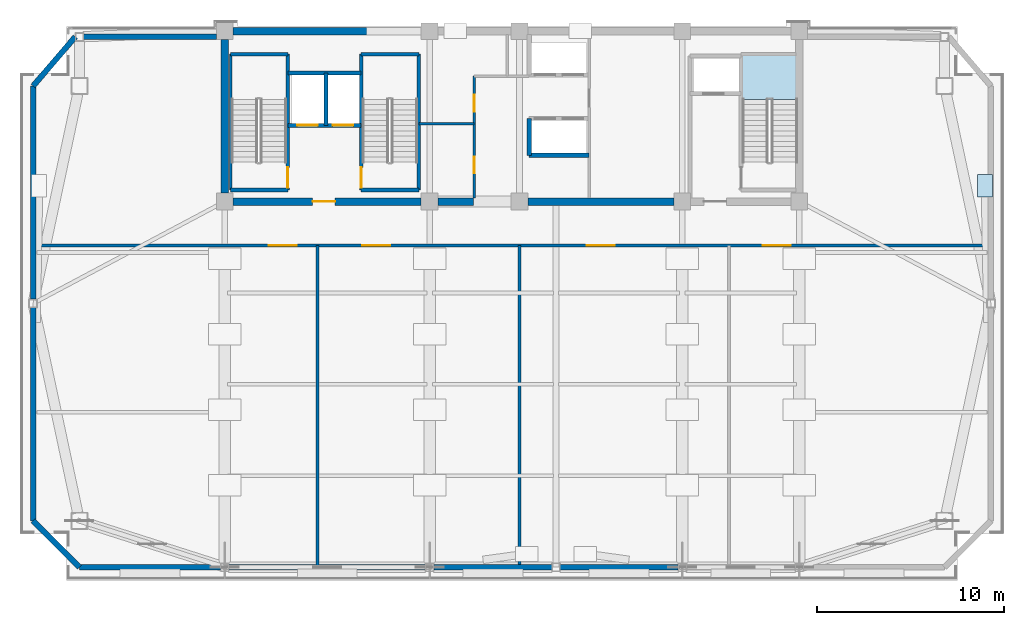
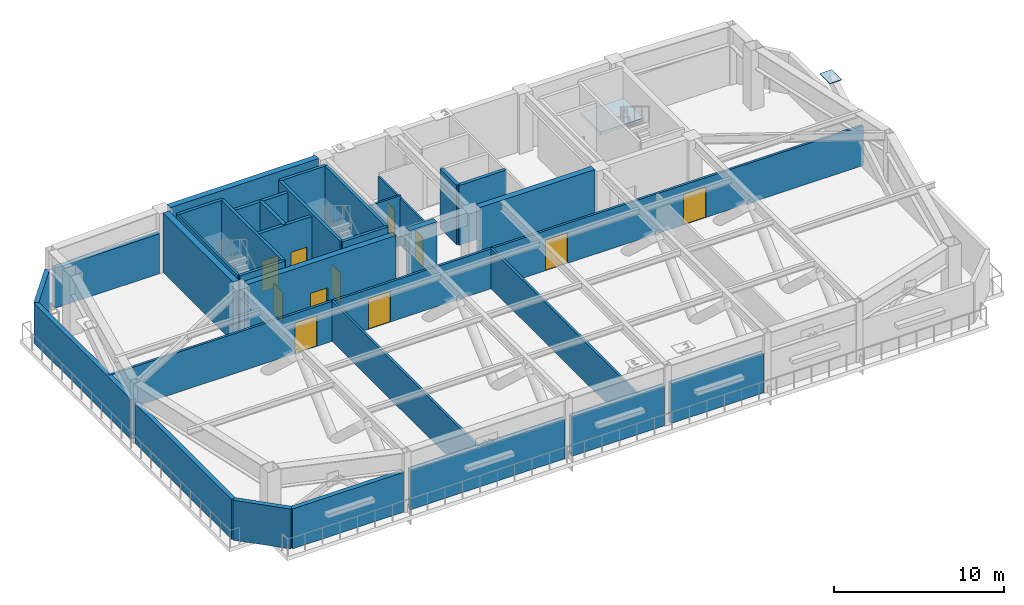
# One storey, part 3 of 8: 32 walls, 11 doors, 1 plate, 1 slab, 11 openings, 1 element without a shape of its own.
"""IFC4 building model written with IfcOpenShell, lengths in metres."""

from ifc_helpers import new_model, si_unit, direction, frame, frame_2d, origin, origin_2d, place, context, subcontext, project, spatial, polyline, rectangle, outline, extrude, source, transform, mapped, material, layer, layer_set, type_object, element, fill, aggregate, save


model = new_model("IFC4")

# Units and contexts
model_context = context("Model", 3, precision=1e-05, world=origin(), true_north=direction((0.0, 1.0)))
body_context = subcontext(model_context, "Body", "Model", "MODEL_VIEW")
ifc_project = project(units=[si_unit("LENGTHUNIT", "METRE"), si_unit("AREAUNIT", "SQUARE_METRE"), si_unit("VOLUMEUNIT", "CUBIC_METRE"), si_unit("PLANEANGLEUNIT", "RADIAN"), si_unit("MASSUNIT", "GRAM", prefix="KILO")], contexts=[model_context])

# Site, building, storey
site_placement = place(None, origin())
site = spatial("IfcSite", under=ifc_project, at=site_placement, CompositionType="ELEMENT")
building_placement = place(site_placement, origin())
building = spatial("IfcBuilding", under=site, at=building_placement, Name="Giltprow Tower", CompositionType="ELEMENT")
storey_placement = place(building_placement, frame((0.0, 0.0, 285.89990234375)))
storey = spatial("IfcBuildingStorey", under=building, at=storey_placement, Name="L73", CompositionType="ELEMENT", Elevation=285.89990234375)

# Stair, slab
ifc_material_1 = material(Name="Concrete C40", Category="concrete")
stair_type = type_object("IfcStairType", Name="STR-ST-3", PredefinedType="HALF_TURN_STAIR", material=ifc_material_1)
stair_placement = place(storey_placement, origin())
stair = element("IfcStair", 1, at=stair_placement, inside=storey, type_object=stair_type, Name="L73 Core Exit Stair ST-3", PredefinedType="HALF_TURN_STAIR")
ifc_layer_1 = layer(ifc_material_1, 0.196044921875, Name="Concrete C40")
ifc_layer_set_1 = layer_set([ifc_layer_1], Name="Concrete C40")
slab_type = type_object("IfcSlabType", Name="SLD-ST-3", PredefinedType="LANDING", material=ifc_layer_set_1)
slab_placement = place(storey_placement, frame((0.0, 0.0, 2.05419921875)))
slab = element("IfcSlab", 2, at=slab_placement, type_object=slab_type, Name="ST-3 landing 1", PredefinedType="LANDING", context=body_context, shape_type="SweptSolid", body=[
    extrude(outline(polyline([(50.4599609375, 42.909912109375), (50.4599609375, 45.25), (47.5, 45.25), (47.5, 42.909912109375), (50.4599609375, 42.909912109375)])), origin(), (0.0, 0.0, 1.0), 0.19580078125),
])
aggregate(stair, [slab])

# Plate
ifc_material_2 = material(Name="Structural steel Q420GJC", Category="steel")
plate_type = type_object("IfcPlateType", Name="PLT-CAP-SEAL", PredefinedType="USERDEFINED", material=ifc_material_2)
shared_shape_1 = source(origin(), body_context, "Body", "SweptSolid", [
    extrude(rectangle(XDim=1.199951171875, YDim=0.800048828125, at=origin_2d()), origin(), (0.0, 0.0, 1.0), 0.034912109375),
])
plate_placement = place(storey_placement, frame((60.471923828125, 38.283935546875, 4.482421875), z_axis=(0.0, 0.0, 1.0), x_axis=(0.0, 1.0, 0.0)))
element("IfcPlate", 3, at=plate_placement, inside=storey, type_object=plate_type, Name="Mega-Brace Node L73-E-DB", ObjectType="SPLICE", PredefinedType="USERDEFINED", context=body_context, shape_type="MappedRepresentation", body=[
    mapped(shared_shape_1, transform((0.0, 0.0, 0.0), x_axis=(1.0, 0.0, 0.0), y_axis=(0.0, 1.0, 0.0), z_axis=(0.0, 0.0, 1.0), scale=1.0)),
])

# Walls
ifc_material_3 = material(Name="Precast concrete C40", Category="concrete")
ifc_layer_2 = layer(ifc_material_3, 0.300048828125, Name="Precast concrete C40")
ifc_layer_set_2 = layer_set([ifc_layer_2], Name="Precast concrete C40")
wall_type_1 = type_object("IfcWallType", Name="EW-NOTCH-CHAMFER-300", PredefinedType="SOLIDWALL", material=ifc_layer_set_2)
wall_1_placement = place(storey_placement, frame((9.60888671875, 20.385009765625, 0.0), z_axis=(0.0, 0.0, 1.0), x_axis=(0.707106781187, -0.707106781187, 0.0)))
element("IfcWall", 4, at=wall_1_placement, inside=storey, type_object=wall_type_1, Name="L73 Corner Notch Wall SW", PredefinedType="SOLIDWALL", context=body_context, shape_type="SweptSolid", body=[
    extrude(rectangle(XDim=3.503173828125, YDim=0.300048828125, at=frame_2d((1.75146484375, 0.0))), origin(), (0.0, 0.0, 1.0), 2.864990234375),
])
wall_2_placement = place(storey_placement, frame((11.861083984375, 46.25, 0.0), z_axis=(0.0, 0.0, 1.0), x_axis=(-0.650739088715, -0.759301414735, 0.0)))
element("IfcWall", 5, at=wall_2_placement, inside=storey, type_object=wall_type_1, Name="L73 Corner Notch Wall NW", PredefinedType="SOLIDWALL", context=body_context, shape_type="SweptSolid", body=[
    extrude(rectangle(XDim=3.4609375, YDim=0.300048828125, at=frame_2d((1.73046875, 0.0))), origin(), (0.0, 0.0, 1.0), 2.864990234375),
])
ifc_layer_3 = layer(ifc_material_3, 0.300048828125, Name="Precast concrete C40")
ifc_layer_set_3 = layer_set([ifc_layer_3], Name="Precast concrete C40")
wall_type_2 = type_object("IfcWallType", Name="EW-REF-LOUVRE-300", PredefinedType="SOLIDWALL", material=ifc_layer_set_3)
wall_3_placement = place(storey_placement, frame((12.0859375, 17.907958984375, 0.0), z_axis=(0.0, 0.0, 1.0), x_axis=(1.0, 0.0, 0.0)))
element("IfcWall", 6, at=wall_3_placement, inside=storey, type_object=wall_type_2, Name="L73 South Expressed Frame Wall 1", PredefinedType="SOLIDWALL", context=body_context, shape_type="SweptSolid", body=[
    extrude(rectangle(XDim=7.5390625, YDim=0.300048828125, at=frame_2d((3.76953125, 0.0))), origin(), (0.0, 0.0, 1.0), 2.864990234375),
])
wall_4_placement = place(storey_placement, frame((20.074951171875, 17.907958984375, 0.0), z_axis=(0.0, 0.0, 1.0), x_axis=(1.0, 0.0, 0.0)))
element("IfcWall", 7, at=wall_4_placement, inside=storey, type_object=wall_type_2, Name="L73 South Expressed Frame Wall 2", PredefinedType="SOLIDWALL", context=body_context, shape_type="SweptSolid", body=[
    extrude(rectangle(XDim=10.5, YDim=0.300048828125, at=frame_2d((5.25, 0.0))), origin(), (0.0, 0.0, 1.0), 2.864990234375),
])
for number, where, z_axis, x_axis, name in (
    (8, (31.02490234375, 17.907958984375, 0.0), (0.0, 0.0, 1.0), (1.0, 0.0, 0.0), "L73 South Expressed Frame Wall 3"),
    (9, (37.77490234375, 17.907958984375, 0.0), (0.0, 0.0, 1.0), (1.0, 0.0, 0.0), "L73 South Expressed Frame Wall 4"),
):
    element("IfcWall", number, at=place(storey_placement, frame(where, z_axis=z_axis, x_axis=x_axis)), inside=storey, type_object=wall_type_2, Name=name, PredefinedType="SOLIDWALL", context=body_context, shape_type="SweptSolid", body=[
        extrude(rectangle(XDim=6.300048828125, YDim=0.300048828125, at=frame_2d((3.14990234375, 0.0))), origin(), (0.0, 0.0, 1.0), 2.864990234375),
    ])
wall_5_placement = place(storey_placement, frame((9.60888671875, 20.385009765625, 0.0), z_axis=(0.0, 0.0, 1.0), x_axis=(0.0, 1.0, 0.0)))
element("IfcWall", 10, at=wall_5_placement, inside=storey, type_object=wall_type_2, Name="L73 W Wing Masonry Wall 1", PredefinedType="SOLIDWALL", context=body_context, shape_type="SweptSolid", body=[
    extrude(rectangle(XDim=11.39404296875, YDim=0.300048828125, at=frame_2d((5.697021484375, 0.0))), origin(), (0.0, 0.0, 1.0), 2.864990234375),
])
wall_6_placement = place(storey_placement, frame((9.60888671875, 32.22900390625, 0.0), z_axis=(0.0, 0.0, 1.0), x_axis=(0.0, 1.0, 0.0)))
element("IfcWall", 11, at=wall_6_placement, inside=storey, type_object=wall_type_2, Name="L73 W Wing Masonry Wall 2", PredefinedType="SOLIDWALL", context=body_context, shape_type="SweptSolid", body=[
    extrude(rectangle(XDim=11.39306640625, YDim=0.300048828125, at=frame_2d((5.696533203125, 0.0))), origin(), (0.0, 0.0, 1.0), 2.864990234375),
])
wall_7_placement = place(storey_placement, frame((12.31103515625, 46.25, 0.0), z_axis=(0.0, 0.0, 1.0), x_axis=(1.0, 0.0, 0.0)))
element("IfcWall", 12, at=wall_7_placement, inside=storey, type_object=wall_type_2, Name="L73 North-West Wing Wall", PredefinedType="SOLIDWALL", context=body_context, shape_type="SweptSolid", body=[
    extrude(rectangle(XDim=7.0888671875, YDim=0.300048828125, at=frame_2d((3.54443359375, 0.0))), origin(), (0.0, 0.0, 1.0), 2.864990234375),
])

# Wall, openings, doors
ifc_material_4 = material(Name="Gypsum stud partition", Category="gypsum")
ifc_layer_4 = layer(ifc_material_4, 0.159912109375, Name="Gypsum stud partition")
ifc_layer_set_4 = layer_set([ifc_layer_4], Name="Gypsum stud partition")
wall_type_3 = type_object("IfcWallType", Name="IW-DEMISE-160", PredefinedType="PARTITIONING", material=ifc_layer_set_4)
wall_8_placement = place(storey_placement, frame((9.60888671875, 35.10009765625, 0.0), z_axis=(0.0, 0.0, 1.0), x_axis=(1.0, 0.0, 0.0)))
wall_8 = element("IfcWall", 13, at=wall_8_placement, inside=storey, type_object=wall_type_3, Name="L73 Refuge and Plant Corridor Wall", PredefinedType="PARTITIONING", context=body_context, shape_type="SweptSolid", body=[
    extrude(rectangle(XDim=51.18212890625, YDim=0.159912109375, at=frame_2d((25.591064453125, 0.0))), origin(), (0.0, 0.0, 1.0), 2.8701171875),
])
opening_1_placement = place(wall_8_placement, frame((12.591064453125, 0.0, 0.0)))
opening_1 = element("IfcOpeningElement", 14, at=opening_1_placement, cuts=wall_8, Name="Opening ID25", PredefinedType="OPENING", context=body_context, shape_type="SweptSolid", body=[
    extrude(rectangle(XDim=1.5, YDim=2.199951171875, at=frame_2d((0.75, 1.10009765625))), frame((0.0, 0.08984375, 0.0), z_axis=(0.0, -1.0, 0.0), x_axis=(1.0, 0.0, 0.0)), (0.0, 0.0, 1.0), 0.179931640625),
])
opening_2_placement = place(wall_8_placement, frame((17.591064453125, 0.0, 0.0)))
opening_2 = element("IfcOpeningElement", 15, at=opening_2_placement, cuts=wall_8, Name="Opening ID25", PredefinedType="OPENING", context=body_context, shape_type="SweptSolid", body=[
    extrude(rectangle(XDim=1.5, YDim=2.199951171875, at=frame_2d((0.75, 1.10009765625))), frame((0.0, 0.08984375, 0.0), z_axis=(0.0, -1.0, 0.0), x_axis=(1.0, 0.0, 0.0)), (0.0, 0.0, 1.0), 0.179931640625),
])
opening_3_placement = place(wall_8_placement, frame((29.591064453125, 0.0, 0.0)))
opening_3 = element("IfcOpeningElement", 16, at=opening_3_placement, cuts=wall_8, Name="Opening ID25", PredefinedType="OPENING", context=body_context, shape_type="SweptSolid", body=[
    extrude(rectangle(XDim=1.5, YDim=2.199951171875, at=frame_2d((0.75, 1.10009765625))), frame((0.0, 0.08984375, 0.0), z_axis=(0.0, -1.0, 0.0), x_axis=(1.0, 0.0, 0.0)), (0.0, 0.0, 1.0), 0.179931640625),
])
opening_4_placement = place(wall_8_placement, frame((38.990966796875, 0.0, 0.0)))
opening_4 = element("IfcOpeningElement", 17, at=opening_4_placement, cuts=wall_8, Name="Opening ID25", PredefinedType="OPENING", context=body_context, shape_type="SweptSolid", body=[
    extrude(rectangle(XDim=1.5, YDim=2.199951171875, at=frame_2d((0.75, 1.10009765625))), frame((0.0, 0.08984375, 0.0), z_axis=(0.0, -1.0, 0.0), x_axis=(1.0, 0.0, 0.0)), (0.0, 0.0, 1.0), 0.179931640625),
])
ifc_material_5 = material(Name="Steel fire leaf", Category="steel")
door_type_1 = type_object("IfcDoorType", Name="DR-PLANT-1500", OperationType="DOUBLE_SWING_LEFT", PredefinedType="DOOR", material=ifc_material_5)
shared_shape_2 = source(origin(), body_context, "Body", "SweptSolid", [
    extrude(rectangle(XDim=1.5, YDim=2.199951171875, at=frame_2d((0.75, 1.10009765625))), frame((0.0, 0.02490234375, 0.0), z_axis=(0.0, -1.0, 0.0), x_axis=(1.0, 0.0, 0.0)), (0.0, 0.0, 1.0), 0.050048828125),
])
door_1_placement = place(opening_1_placement, origin())
door_1 = element("IfcDoor", 18, at=door_1_placement, inside=storey, type_object=door_type_1, Name="L73 Pressurized Fire Refuge Holding Area West Door", OperationType="DOUBLE_SWING_LEFT", OverallHeight=2.199951171875, OverallWidth=1.5, PredefinedType="DOOR", context=body_context, shape_type="MappedRepresentation", body=[
    mapped(shared_shape_2, transform((0.0, 0.0, 0.0), x_axis=(1.0, 0.0, 0.0), y_axis=(0.0, 1.0, 0.0), z_axis=(0.0, 0.0, 1.0), scale=1.0)),
])
fill(opening_1, door_1)
door_2_placement = place(opening_2_placement, origin())
door_2 = element("IfcDoor", 19, at=door_2_placement, inside=storey, type_object=door_type_1, Name="L73 Zone Air Handling and Smoke Dampers Plant Door", OperationType="DOUBLE_SWING_LEFT", OverallHeight=2.199951171875, OverallWidth=1.5, PredefinedType="DOOR", context=body_context, shape_type="MappedRepresentation", body=[
    mapped(shared_shape_2, transform((0.0, 0.0, 0.0), x_axis=(1.0, 0.0, 0.0), y_axis=(0.0, 1.0, 0.0), z_axis=(0.0, 0.0, 1.0), scale=1.0)),
])
fill(opening_2, door_2)
door_3_placement = place(opening_3_placement, origin())
door_3 = element("IfcDoor", 20, at=door_3_placement, inside=storey, type_object=door_type_1, Name="L73 High-Zone Heat Exchanger and Pump Plant Door", OperationType="DOUBLE_SWING_LEFT", OverallHeight=2.199951171875, OverallWidth=1.5, PredefinedType="DOOR", context=body_context, shape_type="MappedRepresentation", body=[
    mapped(shared_shape_2, transform((0.0, 0.0, 0.0), x_axis=(1.0, 0.0, 0.0), y_axis=(0.0, 1.0, 0.0), z_axis=(0.0, 0.0, 1.0), scale=1.0)),
])
fill(opening_3, door_3)
door_4_placement = place(opening_4_placement, origin())
door_4 = element("IfcDoor", 21, at=door_4_placement, inside=storey, type_object=door_type_1, Name="L73 Pressurized Fire Refuge Holding Area East Door", OperationType="DOUBLE_SWING_LEFT", OverallHeight=2.199951171875, OverallWidth=1.5, PredefinedType="DOOR", context=body_context, shape_type="MappedRepresentation", body=[
    mapped(shared_shape_2, transform((0.0, 0.0, 0.0), x_axis=(1.0, 0.0, 0.0), y_axis=(0.0, 1.0, 0.0), z_axis=(0.0, 0.0, 1.0), scale=1.0)),
])
fill(opening_4, door_4)

# Walls
for number, where, z_axis, x_axis, name in (
    (22, (24.800048828125, 17.907958984375, 0.0), (0.0, 0.0, 1.0), (0.0, 1.0, 0.0), "L73 Refuge Compartment Wall 1"),
    (23, (35.60009765625, 17.907958984375, 0.0), (0.0, 0.0, 1.0), (0.0, 1.0, 0.0), "L73 Refuge Compartment Wall 2"),
):
    element("IfcWall", number, at=place(storey_placement, frame(where, z_axis=z_axis, x_axis=x_axis)), inside=storey, type_object=wall_type_3, Name=name, PredefinedType="PARTITIONING", context=body_context, shape_type="SweptSolid", body=[
        extrude(rectangle(XDim=17.192138671875, YDim=0.159912109375, at=frame_2d((8.59619140625, 0.0))), origin(), (0.0, 0.0, 1.0), 2.8701171875),
    ])

# Wall, openings, doors
ifc_layer_5 = layer(ifc_material_1, 0.219970703125, Name="Concrete C40")
ifc_layer_set_5 = layer_set([ifc_layer_5], Name="Concrete C40")
wall_type_4 = type_object("IfcWallType", Name="IW-SHAFT-220", PredefinedType="SOLIDWALL", material=ifc_layer_set_5)
wall_9_placement = place(storey_placement, frame((23.219970703125, 41.52001953125, 0.0), z_axis=(0.0, 0.0, 1.0), x_axis=(1.0, 0.0, 0.0)))
wall_9 = element("IfcWall", 24, at=wall_9_placement, inside=storey, type_object=wall_type_4, Name="L73 FFL1 and Service Lift Front Wall", PredefinedType="SOLIDWALL", context=body_context, shape_type="SweptSolid", body=[
    extrude(rectangle(XDim=3.919921875, YDim=0.219970703125, at=frame_2d((1.9599609375, 0.0))), origin(), (0.0, 0.0, 1.0), 4.28515625),
])
opening_5_placement = place(wall_9_placement, frame((0.5, 0.0, 0.0)))
opening_5 = element("IfcOpeningElement", 25, at=opening_5_placement, cuts=wall_9, Name="Opening LD-11", PredefinedType="OPENING", context=body_context, shape_type="SweptSolid", body=[
    extrude(rectangle(XDim=1.10009765625, YDim=2.199951171875, at=frame_2d((0.550048828125, 1.10009765625))), frame((0.0, 0.119873046875, 0.0), z_axis=(0.0, -1.0, 0.0), x_axis=(1.0, 0.0, 0.0)), (0.0, 0.0, 1.0), 0.239990234375),
])
opening_6_placement = place(wall_9_placement, frame((2.39990234375, 0.0, 0.0)))
opening_6 = element("IfcOpeningElement", 26, at=opening_6_placement, cuts=wall_9, Name="Opening LD-11", PredefinedType="OPENING", context=body_context, shape_type="SweptSolid", body=[
    extrude(rectangle(XDim=1.10009765625, YDim=2.199951171875, at=frame_2d((0.550048828125, 1.10009765625))), frame((0.0, 0.119873046875, 0.0), z_axis=(0.0, -1.0, 0.0), x_axis=(1.0, 0.0, 0.0)), (0.0, 0.0, 1.0), 0.239990234375),
])
ifc_material_6 = material(Name="Stainless steel", Category="steel")
door_type_2 = type_object("IfcDoorType", Name="DR-LIFT-LD1100", OperationType="SLIDING_TO_LEFT", PredefinedType="DOOR", material=ifc_material_6)
shared_shape_3 = source(origin(), body_context, "Body", "SweptSolid", [
    extrude(rectangle(XDim=1.10009765625, YDim=2.199951171875, at=frame_2d((0.550048828125, 1.10009765625))), frame((0.0, 0.02490234375, 0.0), z_axis=(0.0, -1.0, 0.0), x_axis=(1.0, 0.0, 0.0)), (0.0, 0.0, 1.0), 0.050048828125),
])
door_5_placement = place(opening_5_placement, origin())
door_5 = element("IfcDoor", 27, at=door_5_placement, inside=storey, type_object=door_type_2, Name="L73 FFL1 Landing Door", OperationType="SLIDING_TO_LEFT", OverallHeight=2.199951171875, OverallWidth=1.10009765625, PredefinedType="DOOR", context=body_context, shape_type="MappedRepresentation", body=[
    mapped(shared_shape_3, transform((0.0, 0.0, 0.0), x_axis=(1.0, 0.0, 0.0), y_axis=(0.0, 1.0, 0.0), z_axis=(0.0, 0.0, 1.0), scale=1.0)),
])
fill(opening_5, door_5)
door_6_placement = place(opening_6_placement, origin())
door_6 = element("IfcDoor", 28, at=door_6_placement, inside=storey, type_object=door_type_2, Name="L73 SVL1 Landing Door", OperationType="SLIDING_TO_LEFT", OverallHeight=2.199951171875, OverallWidth=1.10009765625, PredefinedType="DOOR", context=body_context, shape_type="MappedRepresentation", body=[
    mapped(shared_shape_3, transform((0.0, 0.0, 0.0), x_axis=(1.0, 0.0, 0.0), y_axis=(0.0, 1.0, 0.0), z_axis=(0.0, 0.0, 1.0), scale=1.0)),
])
fill(opening_6, door_6)

# Walls
wall_10_placement = place(storey_placement, frame((25.260009765625, 41.52001953125, 0.0), z_axis=(0.0, 0.0, 1.0), x_axis=(0.0, 1.0, 0.0)))
element("IfcWall", 29, at=wall_10_placement, inside=storey, type_object=wall_type_4, Name="L73 FFL1-SVL1 Shaft Divider", PredefinedType="SOLIDWALL", context=body_context, shape_type="SweptSolid", body=[
    extrude(rectangle(XDim=2.800048828125, YDim=0.219970703125, at=frame_2d((1.39990234375, 0.0))), origin(), (0.0, 0.0, 1.0), 4.28515625),
])
wall_11_placement = place(storey_placement, frame((23.219970703125, 44.320068359375, 0.0), z_axis=(0.0, 0.0, 1.0), x_axis=(1.0, 0.0, 0.0)))
element("IfcWall", 30, at=wall_11_placement, inside=storey, type_object=wall_type_4, Name="L73 FFL1-SVL1 Back Shaft Wall", PredefinedType="SOLIDWALL", context=body_context, shape_type="SweptSolid", body=[
    extrude(rectangle(XDim=3.919921875, YDim=0.219970703125, at=frame_2d((1.9599609375, 0.0))), origin(), (0.0, 0.0, 1.0), 4.28515625),
])
wall_12_placement = place(storey_placement, frame((36.1201171875, 39.919921875, 0.0), z_axis=(0.0, 0.0, 1.0), x_axis=(1.0, 0.0, 0.0)))
element("IfcWall", 31, at=wall_12_placement, inside=storey, type_object=wall_type_4, Name="L73 High-Rise South Lift Back Wall", PredefinedType="SOLIDWALL", context=body_context, shape_type="SweptSolid", body=[
    extrude(rectangle(XDim=3.199951171875, YDim=0.219970703125, at=frame_2d((1.60009765625, 0.0))), origin(), (0.0, 0.0, 1.0), 4.28515625),
])
wall_13_placement = place(storey_placement, frame((36.1201171875, 39.919921875, 0.0), z_axis=(0.0, 0.0, 1.0), x_axis=(0.0, 1.0, 0.0)))
element("IfcWall", 32, at=wall_13_placement, inside=storey, type_object=wall_type_4, Name="L73 High-Rise South Lift West Closure", PredefinedType="SOLIDWALL", context=body_context, shape_type="SweptSolid", body=[
    extrude(rectangle(XDim=1.9599609375, YDim=0.219970703125, at=frame_2d((0.97998046875, 0.0))), origin(), (0.0, 0.0, 1.0), 4.28515625),
])
ifc_material_7 = material(Name="Concrete C45", Category="concrete")
ifc_layer_6 = layer(ifc_material_7, 0.139892578125, Name="Concrete C45")
ifc_layer_set_6 = layer_set([ifc_layer_6], Name="Concrete C45")
wall_type_5 = type_object("IfcWallType", Name="IW-STAIR-140", PredefinedType="SOLIDWALL", material=ifc_layer_set_6)
wall_14_placement = place(storey_placement, frame((20.169921875, 38.070068359375, 0.0), z_axis=(0.0, 0.0, 1.0), x_axis=(0.0, 1.0, 0.0)))
element("IfcWall", 33, at=wall_14_placement, inside=storey, type_object=wall_type_5, Name="L73 Stair ST-1 West Bearing Wall", PredefinedType="SOLIDWALL", context=body_context, shape_type="SweptSolid", body=[
    extrude(rectangle(XDim=7.25, YDim=0.139892578125, at=frame_2d((3.625, 0.0))), origin(), (0.0, 0.0, 1.0), 4.5),
])

# Wall, opening, door
ifc_layer_7 = layer(ifc_material_1, 0.199951171875, Name="Concrete C40")
ifc_layer_set_7 = layer_set([ifc_layer_7], Name="Concrete C40")
wall_type_6 = type_object("IfcWallType", Name="IW-STAIR-200", PredefinedType="SOLIDWALL", material=ifc_layer_set_7)
wall_15_placement = place(storey_placement, frame((23.219970703125, 38.070068359375, 0.0), z_axis=(0.0, 0.0, 1.0), x_axis=(0.0, 1.0, 0.0)))
wall_15 = element("IfcWall", 34, at=wall_15_placement, inside=storey, type_object=wall_type_6, Name="L73 Stair ST-1 East Bearing Wall", PredefinedType="SOLIDWALL", context=body_context, shape_type="SweptSolid", body=[
    extrude(rectangle(XDim=7.25, YDim=0.199951171875, at=frame_2d((3.625, 0.0))), origin(), (0.0, 0.0, 1.0), 4.5),
])
opening_7_placement = place(wall_15_placement, frame((0.110107421875, 0.0, 0.0)))
opening_7 = element("IfcOpeningElement", 35, at=opening_7_placement, cuts=wall_15, Name="Opening ID33", PredefinedType="OPENING", context=body_context, shape_type="SweptSolid", body=[
    extrude(rectangle(XDim=1.10009765625, YDim=2.14990234375, at=frame_2d((0.550048828125, 1.074951171875))), frame((0.0, 0.10986328125, 0.0), z_axis=(0.0, -1.0, 0.0), x_axis=(1.0, 0.0, 0.0)), (0.0, 0.0, 1.0), 0.219970703125),
])
door_type_3 = type_object("IfcDoorType", Name="DR-STAIR-1100", OperationType="SINGLE_SWING_LEFT", PredefinedType="DOOR", material=ifc_material_5)
shared_shape_4 = source(origin(), body_context, "Body", "SweptSolid", [
    extrude(rectangle(XDim=1.10009765625, YDim=2.14990234375, at=frame_2d((0.550048828125, 1.074951171875))), frame((0.0, 0.02490234375, 0.0), z_axis=(0.0, -1.0, 0.0), x_axis=(1.0, 0.0, 0.0)), (0.0, 0.0, 1.0), 0.050048828125),
])
door_7_placement = place(opening_7_placement, origin())
door_7 = element("IfcDoor", 36, at=door_7_placement, inside=storey, type_object=door_type_3, Name="L73 Stair ST-1 Fire Door", OperationType="SINGLE_SWING_LEFT", OverallHeight=2.14990234375, OverallWidth=1.10009765625, PredefinedType="DOOR", context=body_context, shape_type="MappedRepresentation", body=[
    mapped(shared_shape_4, transform((0.0, 0.0, 0.0), x_axis=(1.0, 0.0, 0.0), y_axis=(0.0, 1.0, 0.0), z_axis=(0.0, 0.0, 1.0), scale=1.0)),
])
fill(opening_7, door_7)

# Walls
for number, where, z_axis, x_axis, name in (
    (37, (20.169921875, 45.320068359375, 0.0), (0.0, 0.0, 1.0), (1.0, 0.0, 0.0), "L73 Stair ST-1 North Bearing Wall"),
    (38, (20.169921875, 38.070068359375, 0.0), (0.0, 0.0, 1.0), (1.0, 0.0, 0.0), "L73 Stair ST-1 South Bearing Wall"),
):
    element("IfcWall", number, at=place(storey_placement, frame(where, z_axis=z_axis, x_axis=x_axis)), inside=storey, type_object=wall_type_6, Name=name, PredefinedType="SOLIDWALL", context=body_context, shape_type="SweptSolid", body=[
        extrude(rectangle(XDim=3.050048828125, YDim=0.199951171875, at=frame_2d((1.52490234375, 0.0))), origin(), (0.0, 0.0, 1.0), 4.5),
    ])

# Wall, opening, door
wall_16_placement = place(storey_placement, frame((27.139892578125, 38.070068359375, 0.0), z_axis=(0.0, 0.0, 1.0), x_axis=(0.0, 1.0, 0.0)))
wall_16 = element("IfcWall", 39, at=wall_16_placement, inside=storey, type_object=wall_type_6, Name="L73 Stair ST-2 West Bearing Wall", PredefinedType="SOLIDWALL", context=body_context, shape_type="SweptSolid", body=[
    extrude(rectangle(XDim=7.25, YDim=0.199951171875, at=frame_2d((3.625, 0.0))), origin(), (0.0, 0.0, 1.0), 4.5),
])
opening_8_placement = place(wall_16_placement, frame((0.110107421875, 0.0, 0.0)))
opening_8 = element("IfcOpeningElement", 40, at=opening_8_placement, cuts=wall_16, Name="Opening ID33", PredefinedType="OPENING", context=body_context, shape_type="SweptSolid", body=[
    extrude(rectangle(XDim=1.10009765625, YDim=2.14990234375, at=frame_2d((0.550048828125, 1.074951171875))), frame((0.0, 0.10986328125, 0.0), z_axis=(0.0, -1.0, 0.0), x_axis=(1.0, 0.0, 0.0)), (0.0, 0.0, 1.0), 0.219970703125),
])
door_8_placement = place(opening_8_placement, origin())
door_8 = element("IfcDoor", 41, at=door_8_placement, inside=storey, type_object=door_type_3, Name="L73 Stair ST-2 Fire Door", OperationType="SINGLE_SWING_RIGHT", OverallHeight=2.14990234375, OverallWidth=1.10009765625, PredefinedType="DOOR", context=body_context, shape_type="MappedRepresentation", body=[
    mapped(shared_shape_4, transform((0.0, 0.0, 0.0), x_axis=(1.0, 0.0, 0.0), y_axis=(0.0, 1.0, 0.0), z_axis=(0.0, 0.0, 1.0), scale=1.0)),
])
fill(opening_8, door_8)

# Walls
wall_17_placement = place(storey_placement, frame((30.219970703125, 38.070068359375, 0.0), z_axis=(0.0, 0.0, 1.0), x_axis=(0.0, 1.0, 0.0)))
element("IfcWall", 42, at=wall_17_placement, inside=storey, type_object=wall_type_6, Name="L73 Stair ST-2 East Bearing Wall", PredefinedType="SOLIDWALL", context=body_context, shape_type="SweptSolid", body=[
    extrude(rectangle(XDim=7.25, YDim=0.199951171875, at=frame_2d((3.625, 0.0))), origin(), (0.0, 0.0, 1.0), 4.5),
])
for number, where, z_axis, x_axis, name in (
    (43, (27.139892578125, 45.320068359375, 0.0), (0.0, 0.0, 1.0), (1.0, 0.0, 0.0), "L73 Stair ST-2 North Bearing Wall"),
    (44, (27.139892578125, 38.070068359375, 0.0), (0.0, 0.0, 1.0), (1.0, 0.0, 0.0), "L73 Stair ST-2 South Bearing Wall"),
):
    element("IfcWall", number, at=place(storey_placement, frame(where, z_axis=z_axis, x_axis=x_axis)), inside=storey, type_object=wall_type_6, Name=name, PredefinedType="SOLIDWALL", context=body_context, shape_type="SweptSolid", body=[
        extrude(rectangle(XDim=3.080078125, YDim=0.199951171875, at=frame_2d((1.5400390625, 0.0))), origin(), (0.0, 0.0, 1.0), 4.5),
    ])

# Wall, openings, doors
ifc_material_8 = material(Name="Concrete C30", Category="concrete")
ifc_layer_8 = layer(ifc_material_8, 0.1298828125, Name="Concrete C30")
ifc_layer_set_8 = layer_set([ifc_layer_8], Name="Concrete C30")
wall_type_7 = type_object("IfcWallType", Name="IW-WET-130", PredefinedType="PARTITIONING", material=ifc_layer_set_8)
wall_18_placement = place(storey_placement, frame((33.179931640625, 37.6298828125, 0.0), z_axis=(0.0, 0.0, 1.0), x_axis=(0.0, 1.0, 0.0)))
wall_18 = element("IfcWall", 45, at=wall_18_placement, inside=storey, type_object=wall_type_7, Name="L73 Reclaimed West Core Wall", PredefinedType="PARTITIONING", context=body_context, shape_type="SweptSolid", body=[
    extrude(rectangle(XDim=6.52001953125, YDim=0.1298828125, at=frame_2d((3.260009765625, 0.0))), origin(), (0.0, 0.0, 1.0), 3.3701171875),
])
opening_9_placement = place(wall_18_placement, frame((1.320068359375, 0.0, 0.0)))
opening_9 = element("IfcOpeningElement", 46, at=opening_9_placement, cuts=wall_18, Name="Opening ID35", PredefinedType="OPENING", context=body_context, shape_type="SweptSolid", body=[
    extrude(rectangle(XDim=0.89990234375, YDim=2.10009765625, at=frame_2d((0.449951171875, 1.050048828125))), frame((0.0, 0.074951171875, 0.0), z_axis=(0.0, -1.0, 0.0), x_axis=(1.0, 0.0, 0.0)), (0.0, 0.0, 1.0), 0.14990234375),
])
opening_10_placement = place(wall_18_placement, frame((4.6201171875, 0.0, 0.0)))
opening_10 = element("IfcOpeningElement", 47, at=opening_10_placement, cuts=wall_18, Name="Opening ID35", PredefinedType="OPENING", context=body_context, shape_type="SweptSolid", body=[
    extrude(rectangle(XDim=0.89990234375, YDim=2.10009765625, at=frame_2d((0.449951171875, 1.050048828125))), frame((0.0, 0.074951171875, 0.0), z_axis=(0.0, -1.0, 0.0), x_axis=(1.0, 0.0, 0.0)), (0.0, 0.0, 1.0), 0.14990234375),
])
door_type_4 = type_object("IfcDoorType", Name="DR-SHAFT-900", OperationType="SINGLE_SWING_LEFT", PredefinedType="DOOR", material=ifc_material_5)
shared_shape_5 = source(origin(), body_context, "Body", "SweptSolid", [
    extrude(rectangle(XDim=0.89990234375, YDim=2.10009765625, at=frame_2d((0.449951171875, 1.050048828125))), frame((0.0, 0.02490234375, 0.0), z_axis=(0.0, -1.0, 0.0), x_axis=(1.0, 0.0, 0.0)), (0.0, 0.0, 1.0), 0.050048828125),
])
door_9_placement = place(opening_9_placement, origin())
door_9 = element("IfcDoor", 48, at=door_9_placement, inside=storey, type_object=door_type_4, Name="L73 Core Powder Room Door", OperationType="SINGLE_SWING_RIGHT", OverallHeight=2.10009765625, OverallWidth=0.89990234375, PredefinedType="DOOR", context=body_context, shape_type="MappedRepresentation", body=[
    mapped(shared_shape_5, transform((0.0, 0.0, 0.0), x_axis=(1.0, 0.0, 0.0), y_axis=(0.0, 1.0, 0.0), z_axis=(0.0, 0.0, 1.0), scale=1.0)),
])
fill(opening_9, door_9)
door_10_placement = place(opening_10_placement, origin())
door_10 = element("IfcDoor", 49, at=door_10_placement, inside=storey, type_object=door_type_4, Name="L73 Core Valet Pantry Door", OperationType="SINGLE_SWING_LEFT", OverallHeight=2.10009765625, OverallWidth=0.89990234375, PredefinedType="DOOR", context=body_context, shape_type="MappedRepresentation", body=[
    mapped(shared_shape_5, transform((0.0, 0.0, 0.0), x_axis=(1.0, 0.0, 0.0), y_axis=(0.0, 1.0, 0.0), z_axis=(0.0, 0.0, 1.0), scale=1.0)),
])
fill(opening_10, door_10)

# Walls
wall_19_placement = place(storey_placement, frame((30.219970703125, 41.60009765625, 0.0), z_axis=(0.0, 0.0, 1.0), x_axis=(1.0, 0.0, 0.0)))
element("IfcWall", 50, at=wall_19_placement, inside=storey, type_object=wall_type_7, Name="L73 West Core Split", PredefinedType="PARTITIONING", context=body_context, shape_type="SweptSolid", body=[
    extrude(rectangle(XDim=2.9599609375, YDim=0.1298828125, at=frame_2d((1.47998046875, 0.0))), origin(), (0.0, 0.0, 1.0), 3.570068359375),
])
ifc_layer_9 = layer(ifc_material_7, 0.39990234375, Name="Concrete C45")
ifc_layer_set_9 = layer_set([ifc_layer_9], Name="Concrete C45")
wall_type_8 = type_object("IfcWallType", Name="SW-EXT-400-C45", PredefinedType="SHEAR", material=ifc_layer_set_9)
wall_20_placement = place(storey_placement, frame((20.300048828125, 46.550048828125, 0.0), z_axis=(0.0, 0.0, 1.0), x_axis=(1.0, 0.0, 0.0)))
element("IfcWall", 51, at=wall_20_placement, inside=storey, type_object=wall_type_8, Name="L73 North Rear Core Shear Wall 1", PredefinedType="SHEAR", context=body_context, shape_type="SweptSolid", body=[
    extrude(rectangle(XDim=10.050048828125, YDim=0.39990234375, at=frame_2d((5.02490234375, 0.0))), origin(), (0.0, 0.0, 1.0), 4.28515625),
])

# Wall, opening, door
ifc_layer_10 = layer(ifc_material_7, 0.39990234375, Name="Concrete C45")
ifc_layer_set_10 = layer_set([ifc_layer_10], Name="Concrete C45")
wall_type_9 = type_object("IfcWallType", Name="SW-INT-400-C45", PredefinedType="SHEAR", material=ifc_layer_set_10)
wall_21_placement = place(storey_placement, frame((20.300048828125, 37.449951171875, 0.0), z_axis=(0.0, 0.0, 1.0), x_axis=(1.0, 0.0, 0.0)))
wall_21 = element("IfcWall", 52, at=wall_21_placement, inside=storey, type_object=wall_type_9, Name="L73 South Rear Core Shear Wall West", PredefinedType="SHEAR", context=body_context, shape_type="SweptSolid", body=[
    extrude(rectangle(XDim=10.050048828125, YDim=0.39990234375, at=frame_2d((5.02490234375, 0.0))), origin(), (0.0, 0.0, 1.0), 4.28515625),
])
opening_11_placement = place(wall_21_placement, frame((4.25, 0.0, 0.0)))
opening_11 = element("IfcOpeningElement", 53, at=opening_11_placement, cuts=wall_21, Name="Opening ID19", PredefinedType="OPENING", context=body_context, shape_type="SweptSolid", body=[
    extrude(rectangle(XDim=1.199951171875, YDim=2.14990234375, at=frame_2d((0.60009765625, 1.074951171875))), frame((0.0, 0.2099609375, 0.0), z_axis=(0.0, -1.0, 0.0), x_axis=(1.0, 0.0, 0.0)), (0.0, 0.0, 1.0), 0.419921875),
])
door_type_5 = type_object("IfcDoorType", Name="DR-FFLOBBY-1200", OperationType="SINGLE_SWING_RIGHT", PredefinedType="DOOR", material=ifc_material_5)
shared_shape_6 = source(origin(), body_context, "Body", "SweptSolid", [
    extrude(rectangle(XDim=1.199951171875, YDim=2.14990234375, at=frame_2d((0.60009765625, 1.074951171875))), frame((0.0, 0.02490234375, 0.0), z_axis=(0.0, -1.0, 0.0), x_axis=(1.0, 0.0, 0.0)), (0.0, 0.0, 1.0), 0.050048828125),
])
door_11_placement = place(opening_11_placement, origin())
door_11 = element("IfcDoor", 54, at=door_11_placement, inside=storey, type_object=door_type_5, Name="L73 West Firefighting Lobby Entry Door", OperationType="SINGLE_SWING_RIGHT", OverallHeight=2.14990234375, OverallWidth=1.199951171875, PredefinedType="DOOR", context=body_context, shape_type="MappedRepresentation", body=[
    mapped(shared_shape_6, transform((0.0, 0.0, 0.0), x_axis=(1.0, 0.0, 0.0), y_axis=(0.0, 1.0, 0.0), z_axis=(0.0, 0.0, 1.0), scale=1.0)),
])
fill(opening_11, door_11)

# Walls
wall_22_placement = place(storey_placement, frame((31.25, 37.449951171875, 0.0), z_axis=(0.0, 0.0, 1.0), x_axis=(1.0, 0.0, 0.0)))
element("IfcWall", 55, at=wall_22_placement, inside=storey, type_object=wall_type_9, Name="L73 South Rear Core Shear Wall Mid-West", PredefinedType="SHEAR", context=body_context, shape_type="SweptSolid", body=[
    extrude(rectangle(XDim=1.89990234375, YDim=0.39990234375, at=frame_2d((0.949951171875, 0.0))), origin(), (0.0, 0.0, 1.0), 4.28515625),
])
wall_23_placement = place(storey_placement, frame((36.050048828125, 37.449951171875, 0.0), z_axis=(0.0, 0.0, 1.0), x_axis=(1.0, 0.0, 0.0)))
element("IfcWall", 56, at=wall_23_placement, inside=storey, type_object=wall_type_9, Name="L73 South Rear Core Shear Wall Mid-East", PredefinedType="SHEAR", context=body_context, shape_type="SweptSolid", body=[
    extrude(rectangle(XDim=7.800048828125, YDim=0.39990234375, at=frame_2d((3.89990234375, 0.0))), origin(), (0.0, 0.0, 1.0), 4.28515625),
])
wall_24_placement = place(storey_placement, frame((19.85009765625, 37.89990234375, 0.0), z_axis=(0.0, 0.0, 1.0), x_axis=(0.0, 1.0, 0.0)))
element("IfcWall", 57, at=wall_24_placement, inside=storey, type_object=wall_type_9, Name="L73 W Rear Core Shear Wall", PredefinedType="SHEAR", context=body_context, shape_type="SweptSolid", body=[
    extrude(rectangle(XDim=8.2001953125, YDim=0.39990234375, at=frame_2d((4.10009765625, 0.0))), origin(), (0.0, 0.0, 1.0), 4.28515625),
])

save(model, "model.ifc")
